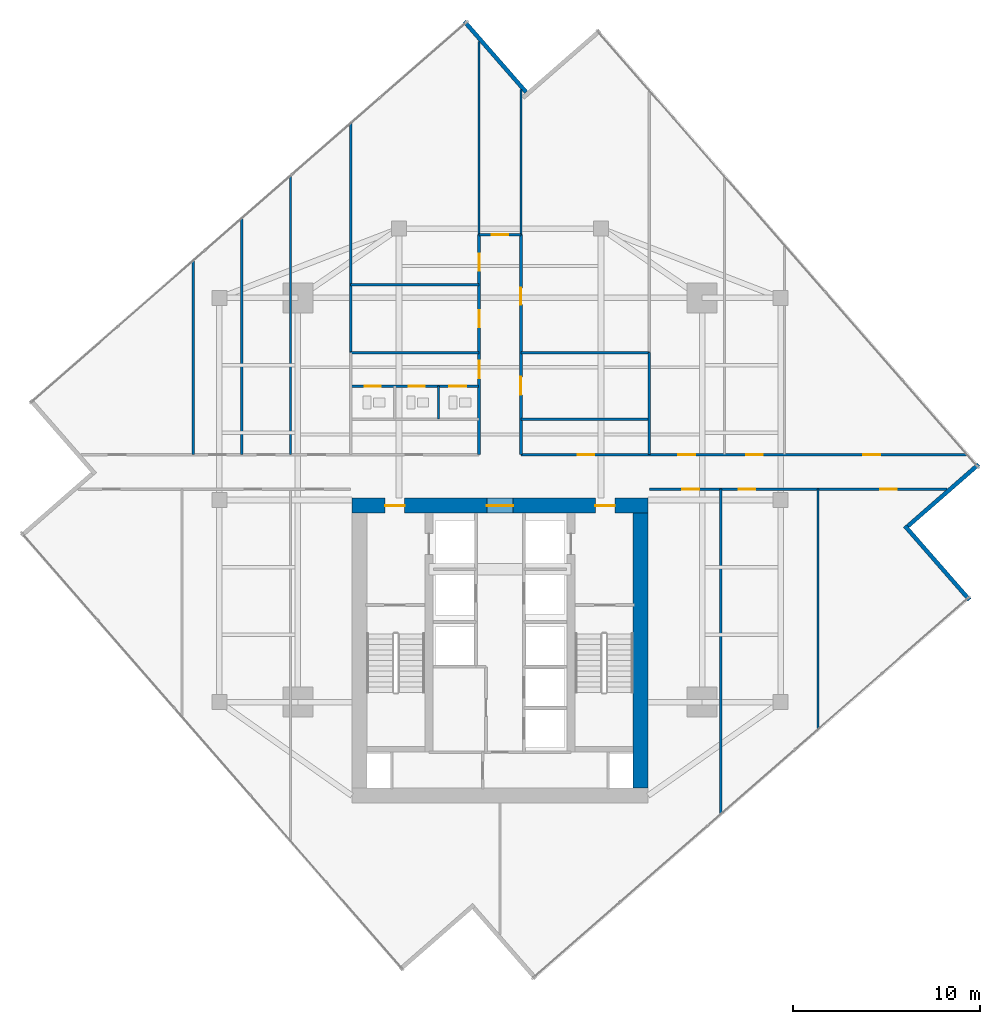
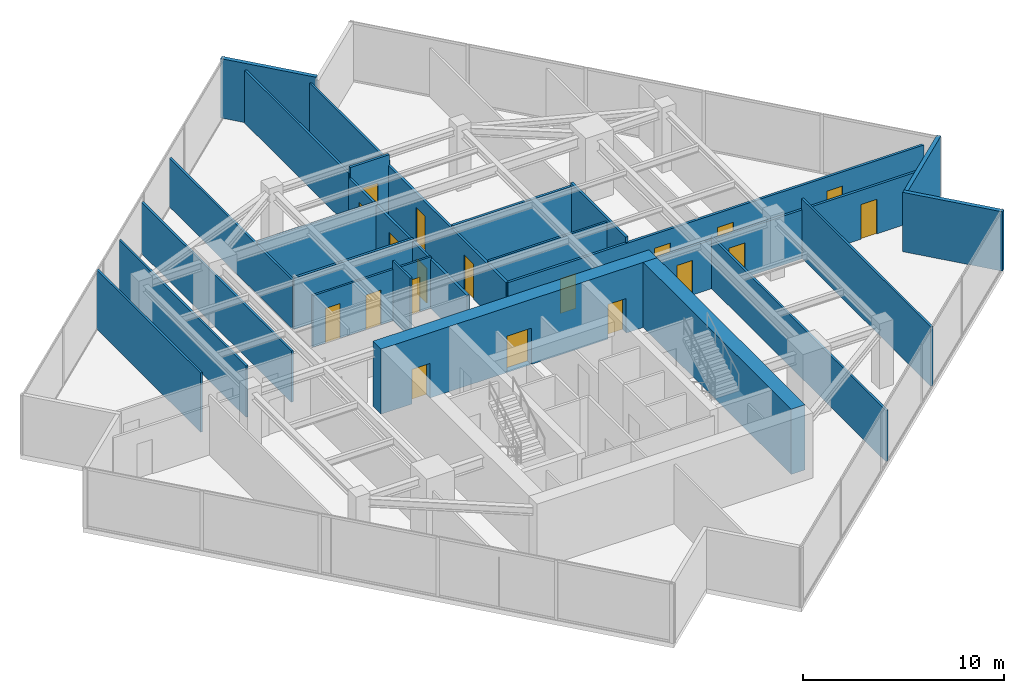
# One storey, part 21 of 24: 25 walls, 19 doors, 19 openings.
"""IFC4 building model written with IfcOpenShell, lengths in metres."""

from ifc_helpers import new_model, si_unit, direction, frame, frame_2d, origin, place, context, subcontext, project, spatial, rectangle, extrude, material, layer, layer_set, type_object, element, fill, save


model = new_model("IFC4")

# Units and contexts
model_context = context("Model", 3, precision=1e-05, world=origin(), true_north=direction((0.0, 1.0)))
body_context = subcontext(model_context, "Body", "Model", "MODEL_VIEW")
ifc_project = project(units=[si_unit("LENGTHUNIT", "METRE"), si_unit("AREAUNIT", "SQUARE_METRE"), si_unit("VOLUMEUNIT", "CUBIC_METRE"), si_unit("PLANEANGLEUNIT", "RADIAN"), si_unit("MASSUNIT", "GRAM", prefix="KILO")], contexts=[model_context])

# Site, building, storey
site_placement = place(None, origin())
site = spatial("IfcSite", under=ifc_project, at=site_placement, CompositionType="ELEMENT")
building_placement = place(site_placement, origin())
building = spatial("IfcBuilding", under=site, at=building_placement, Name="Krantzveldt Concourse Tower", CompositionType="ELEMENT")
storey_placement = place(building_placement, frame((0.0, 0.0, 258.64990234375)))
storey = spatial("IfcBuildingStorey", under=building, at=storey_placement, Name="L63", CompositionType="ELEMENT", Elevation=258.64990234375)

# Walls
ifc_material_1 = material(Name="Anodised aluminium 6063-T6", Category="aluminium")
ifc_layer_1 = layer(ifc_material_1, 0.219970703125, Name="Anodised aluminium 6063-T6", Category="aluminium")
ifc_layer_set_1 = layer_set([ifc_layer_1], Name="Anodised aluminium 6063-T6 (WL-EXT-NOTCH220)")
wall_type_1 = type_object("IfcWallType", Name="WL-EXT-NOTCH220", PredefinedType="ELEMENTEDWALL", material=ifc_layer_set_1)
wall_1_placement = place(storey_placement, frame((37.3984375, 48.497802734375, 0.0), z_axis=(0.0, 0.0, 1.0), x_axis=(-0.657706226339, 0.753274531518, 0.0)))
element("IfcWall", 1, at=wall_1_placement, inside=storey, type_object=wall_type_1, Name="EW-L63-NCH00", PredefinedType="ELEMENTEDWALL", context=body_context, shape_type="SweptSolid", body=[
    extrude(rectangle(XDim=5.02490234375, YDim=0.219970703125, at=frame_2d((2.512451171875, 0.0))), origin(), (0.0, 0.0, 1.0), 3.60009765625),
])
wall_2_placement = place(storey_placement, frame((61.09228515625, 21.361083984375, 0.0), z_axis=(0.0, 0.0, 1.0), x_axis=(-0.657710057617, 0.7532711863, 0.0)))
element("IfcWall", 2, at=wall_2_placement, inside=storey, type_object=wall_type_1, Name="EW-L63-NCH08", PredefinedType="ELEMENTEDWALL", context=body_context, shape_type="SweptSolid", body=[
    extrude(rectangle(XDim=5.2451171875, YDim=0.219970703125, at=frame_2d((2.62255859375, 0.0))), origin(), (0.0, 0.0, 1.0), 3.60009765625),
])
wall_3_placement = place(storey_placement, frame((57.7978515625, 25.301513671875, 0.0), z_axis=(0.0, 0.0, 1.0), x_axis=(0.753274531518, 0.657706226339, 0.0)))
element("IfcWall", 3, at=wall_3_placement, inside=storey, type_object=wall_type_1, Name="EW-L63-NCH09", PredefinedType="ELEMENTEDWALL", context=body_context, shape_type="SweptSolid", body=[
    extrude(rectangle(XDim=5.02490234375, YDim=0.219970703125, at=frame_2d((2.512451171875, 0.0))), origin(), (0.0, 0.0, 1.0), 3.60009765625),
])
ifc_material_2 = material(Name="Fire-rated gypsum plasterboard on steel stud", Category="steel")
ifc_layer_2 = layer(ifc_material_2, 0.1201171875, Name="Fire-rated gypsum plasterboard on steel stud", Category="steel")
ifc_layer_set_2 = layer_set([ifc_layer_2], Name="Fire-rated gypsum plasterboard on steel stud (WL-PART-120)")
wall_type_2 = type_object("IfcWallType", Name="WL-PART-120", PredefinedType="PARTITIONING", material=ifc_layer_set_2)
wall_4_placement = place(storey_placement, frame((37.1201171875, 31.02001953125, 0.0), z_axis=(0.0, 0.0, 1.0), x_axis=(1.0, 0.0, 0.0)))
element("IfcWall", 4, at=wall_4_placement, inside=storey, type_object=wall_type_2, Name="WP-L63-ISMR", PredefinedType="PARTITIONING", context=body_context, shape_type="SweptSolid", body=[
    extrude(rectangle(XDim=6.85986328125, YDim=0.1201171875, at=frame_2d((3.429931640625, 0.0))), origin(), (0.0, 0.0, 1.0), 3.110107421875),
])

# Wall, openings, doors
wall_5_placement = place(storey_placement, frame((28.050048828125, 32.780029296875, 0.0), z_axis=(0.0, 0.0, 1.0), x_axis=(1.0, 0.0, 0.0)))
wall_5 = element("IfcWall", 5, at=wall_5_placement, inside=storey, type_object=wall_type_2, Name="WP-L63-WCHDR", PredefinedType="PARTITIONING", context=body_context, shape_type="SweptSolid", body=[
    extrude(rectangle(XDim=6.800048828125, YDim=0.1201171875, at=frame_2d((3.39990234375, 0.0))), origin(), (0.0, 0.0, 1.0), 3.110107421875),
])
opening_1_placement = place(wall_5_placement, frame((0.72509765625, 0.0, 0.0)))
opening_1 = element("IfcOpeningElement", 6, at=opening_1_placement, cuts=wall_5, Name="Opening D-IN085", PredefinedType="OPENING", context=body_context, shape_type="SweptSolid", body=[
    extrude(rectangle(XDim=0.85009765625, YDim=2.10009765625, at=frame_2d((0.425048828125, 1.050048828125))), frame((0.0, 0.070068359375, 0.0), z_axis=(0.0, -1.0, 0.0), x_axis=(1.0, 0.0, 0.0)), (0.0, 0.0, 1.0), 0.14013671875),
])
opening_2_placement = place(wall_5_placement, frame((3.06494140625, 0.0, 0.0)))
opening_2 = element("IfcOpeningElement", 7, at=opening_2_placement, cuts=wall_5, Name="Opening D-IN085", PredefinedType="OPENING", context=body_context, shape_type="SweptSolid", body=[
    extrude(rectangle(XDim=0.85009765625, YDim=2.10009765625, at=frame_2d((0.425048828125, 1.050048828125))), frame((0.0, 0.070068359375, 0.0), z_axis=(0.0, -1.0, 0.0), x_axis=(1.0, 0.0, 0.0)), (0.0, 0.0, 1.0), 0.14013671875),
])
opening_3_placement = place(wall_5_placement, frame((5.25, 0.0, 0.0)))
opening_3 = element("IfcOpeningElement", 8, at=opening_3_placement, cuts=wall_5, Name="Opening D-IN090", PredefinedType="OPENING", context=body_context, shape_type="SweptSolid", body=[
    extrude(rectangle(XDim=0.89990234375, YDim=2.10009765625, at=frame_2d((0.449951171875, 1.050048828125))), frame((0.0, 0.070068359375, 0.0), z_axis=(0.0, -1.0, 0.0), x_axis=(1.0, 0.0, 0.0)), (0.0, 0.0, 1.0), 0.14013671875),
])
ifc_material_3 = material(Name="Hardwood timber", Category="wood")
door_type_1 = type_object("IfcDoorType", Name="DR-INT-850", OperationType="SINGLE_SWING_LEFT", PredefinedType="DOOR", material=ifc_material_3)
door_1_placement = place(opening_1_placement, origin())
door_1 = element("IfcDoor", 9, at=door_1_placement, inside=storey, type_object=door_type_1, Name="DR-L63-WCM", OperationType="SINGLE_SWING_LEFT", OverallHeight=2.10009765625, OverallWidth=0.85009765625, PredefinedType="DOOR", context=body_context, shape_type="SweptSolid", body=[
    extrude(rectangle(XDim=0.85009765625, YDim=2.10009765625, at=frame_2d((0.425048828125, 1.050048828125))), frame((0.0, 0.02490234375, 0.0), z_axis=(0.0, -1.0, 0.0), x_axis=(1.0, 0.0, 0.0)), (0.0, 0.0, 1.0), 0.050048828125),
])
fill(opening_1, door_1)
door_2_placement = place(opening_2_placement, origin())
door_2 = element("IfcDoor", 10, at=door_2_placement, inside=storey, type_object=door_type_1, Name="DR-L63-WCF", OperationType="SINGLE_SWING_RIGHT", OverallHeight=2.10009765625, OverallWidth=0.85009765625, PredefinedType="DOOR", context=body_context, shape_type="SweptSolid", body=[
    extrude(rectangle(XDim=0.85009765625, YDim=2.10009765625, at=frame_2d((0.425048828125, 1.050048828125))), frame((0.0, 0.02490234375, 0.0), z_axis=(0.0, -1.0, 0.0), x_axis=(1.0, 0.0, 0.0)), (0.0, 0.0, 1.0), 0.050048828125),
])
fill(opening_2, door_2)
door_type_2 = type_object("IfcDoorType", Name="DR-INT-900", OperationType="SINGLE_SWING_LEFT", PredefinedType="DOOR", material=ifc_material_3)
door_3_placement = place(opening_3_placement, origin())
door_3 = element("IfcDoor", 11, at=door_3_placement, inside=storey, type_object=door_type_2, Name="DR-L63-WCA", OperationType="SINGLE_SWING_LEFT", OverallHeight=2.10009765625, OverallWidth=0.89990234375, PredefinedType="DOOR", context=body_context, shape_type="SweptSolid", body=[
    extrude(rectangle(XDim=0.89990234375, YDim=2.10009765625, at=frame_2d((0.449951171875, 1.050048828125))), frame((0.0, 0.02490234375, 0.0), z_axis=(0.0, -1.0, 0.0), x_axis=(1.0, 0.0, 0.0)), (0.0, 0.0, 1.0), 0.050048828125),
])
fill(opening_3, door_3)

# Walls
wall_6_placement = place(storey_placement, frame((32.7099609375, 31.02001953125, 0.0), z_axis=(0.0, 0.0, 1.0), x_axis=(0.0, 1.0, 0.0)))
element("IfcWall", 12, at=wall_6_placement, inside=storey, type_object=wall_type_2, Name="WP-L63-WCD2", PredefinedType="PARTITIONING", context=body_context, shape_type="SweptSolid", body=[
    extrude(rectangle(XDim=1.760009765625, YDim=0.1201171875, at=frame_2d((0.8798828125, 0.0))), origin(), (0.0, 0.0, 1.0), 3.60009765625),
])
wall_7_placement = place(storey_placement, frame((34.8798828125, 40.8798828125, 0.0), z_axis=(0.0, 0.0, 1.0), x_axis=(0.0, 1.0, 0.0)))
element("IfcWall", 13, at=wall_7_placement, inside=storey, type_object=wall_type_2, Name="WP-L63-NTL", PredefinedType="PARTITIONING", context=body_context, shape_type="SweptSolid", body=[
    extrude(rectangle(XDim=10.32763671875, YDim=0.1201171875, at=frame_2d((5.163818359375, 0.0))), origin(), (0.0, 0.0, 1.0), 3.210205078125),
])
wall_8_placement = place(storey_placement, frame((37.1201171875, 40.8798828125, 0.0), z_axis=(0.0, 0.0, 1.0), x_axis=(0.0, 1.0, 0.0)))
element("IfcWall", 14, at=wall_8_placement, inside=storey, type_object=wall_type_2, Name="WP-L63-NTR", PredefinedType="PARTITIONING", context=body_context, shape_type="SweptSolid", body=[
    extrude(rectangle(XDim=7.76220703125, YDim=0.1201171875, at=frame_2d((3.881103515625, 0.0))), origin(), (0.0, 0.0, 1.0), 3.210205078125),
])
wall_9_placement = place(storey_placement, frame((19.60009765625, 29.1201171875, 0.0), z_axis=(0.0, 0.0, 1.0), x_axis=(0.0, 1.0, 0.0)))
element("IfcWall", 15, at=wall_9_placement, inside=storey, type_object=wall_type_2, Name="WP-L63-NWX1", PredefinedType="PARTITIONING", context=body_context, shape_type="SweptSolid", body=[
    extrude(rectangle(XDim=10.35546875, YDim=0.1201171875, at=frame_2d((5.177734375, 0.0))), origin(), (0.0, 0.0, 1.0), 3.60009765625),
])
wall_10_placement = place(storey_placement, frame((22.199951171875, 29.1201171875, 0.0), z_axis=(0.0, 0.0, 1.0), x_axis=(0.0, 1.0, 0.0)))
element("IfcWall", 16, at=wall_10_placement, inside=storey, type_object=wall_type_2, Name="WP-L63-NWX2", PredefinedType="PARTITIONING", context=body_context, shape_type="SweptSolid", body=[
    extrude(rectangle(XDim=12.625732421875, YDim=0.1201171875, at=frame_2d((6.31298828125, 0.0))), origin(), (0.0, 0.0, 1.0), 3.110107421875),
])
wall_11_placement = place(storey_placement, frame((24.800048828125, 29.1201171875, 0.0), z_axis=(0.0, 0.0, 1.0), x_axis=(0.0, 1.0, 0.0)))
element("IfcWall", 17, at=wall_11_placement, inside=storey, type_object=wall_type_2, Name="WP-L63-NWX3", PredefinedType="PARTITIONING", context=body_context, shape_type="SweptSolid", body=[
    extrude(rectangle(XDim=14.89599609375, YDim=0.1201171875, at=frame_2d((7.447998046875, 0.0))), origin(), (0.0, 0.0, 1.0), 3.110107421875),
])
wall_12_placement = place(storey_placement, frame((28.02001953125, 34.580078125, 0.0), z_axis=(0.0, 0.0, 1.0), x_axis=(0.0, 1.0, 0.0)))
element("IfcWall", 18, at=wall_12_placement, inside=storey, type_object=wall_type_2, Name="WP-L63-ISWL2", PredefinedType="PARTITIONING", context=body_context, shape_type="SweptSolid", body=[
    extrude(rectangle(XDim=12.247314453125, YDim=0.1201171875, at=frame_2d((6.12353515625, 0.0))), origin(), (0.0, 0.0, 1.0), 2.960205078125),
])
wall_13_placement = place(storey_placement, frame((28.02001953125, 38.199951171875, 0.0), z_axis=(0.0, 0.0, 1.0), x_axis=(1.0, 0.0, 0.0)))
element("IfcWall", 19, at=wall_13_placement, inside=storey, type_object=wall_type_2, Name="WP-L63-NWIY", PredefinedType="PARTITIONING", context=body_context, shape_type="SweptSolid", body=[
    extrude(rectangle(XDim=6.85986328125, YDim=0.1201171875, at=frame_2d((3.429931640625, 0.0))), origin(), (0.0, 0.0, 1.0), 3.110107421875),
])
wall_14_placement = place(storey_placement, frame((47.800048828125, 9.907958984375, 0.0), z_axis=(0.0, 0.0, 1.0), x_axis=(0.0, 1.0, 0.0)))
element("IfcWall", 20, at=wall_14_placement, inside=storey, type_object=wall_type_2, Name="WP-L63-SEX1", PredefinedType="PARTITIONING", context=body_context, shape_type="SweptSolid", body=[
    extrude(rectangle(XDim=17.3720703125, YDim=0.1201171875, at=frame_2d((8.68603515625, 0.0))), origin(), (0.0, 0.0, 1.0), 3.110107421875),
])
wall_15_placement = place(storey_placement, frame((53.0, 14.447998046875, 0.0), z_axis=(0.0, 0.0, 1.0), x_axis=(0.0, 1.0, 0.0)))
element("IfcWall", 21, at=wall_15_placement, inside=storey, type_object=wall_type_2, Name="WP-L63-SEX2", PredefinedType="PARTITIONING", context=body_context, shape_type="SweptSolid", body=[
    extrude(rectangle(XDim=12.83203125, YDim=0.1201171875, at=frame_2d((6.416015625, 0.0))), origin(), (0.0, 0.0, 1.0), 3.60009765625),
])

# Wall, openings, doors
ifc_layer_3 = layer(ifc_material_2, 0.139892578125, Name="Fire-rated gypsum plasterboard on steel stud", Category="steel")
ifc_layer_set_3 = layer_set([ifc_layer_3], Name="Fire-rated gypsum plasterboard on steel stud (WL-PART-140)")
wall_type_3 = type_object("IfcWallType", Name="WL-PART-140", PredefinedType="PARTITIONING", material=ifc_layer_set_3)
wall_16_placement = place(storey_placement, frame((34.8798828125, 29.1201171875, 0.0), z_axis=(0.0, 0.0, 1.0), x_axis=(0.0, 1.0, 0.0)))
wall_16 = element("IfcWall", 22, at=wall_16_placement, inside=storey, type_object=wall_type_3, Name="WP-L63-SPWL", PredefinedType="PARTITIONING", context=body_context, shape_type="SweptSolid", body=[
    extrude(rectangle(XDim=11.759765625, YDim=0.139892578125, at=frame_2d((5.8798828125, 0.0))), origin(), (0.0, 0.0, 1.0), 2.960205078125),
])
opening_4_placement = place(wall_16_placement, frame((4.0849609375, 0.0, 0.0)))
opening_4 = element("IfcOpeningElement", 23, at=opening_4_placement, cuts=wall_16, Name="Opening D-IN095", PredefinedType="OPENING", context=body_context, shape_type="SweptSolid", body=[
    extrude(rectangle(XDim=0.949951171875, YDim=2.10009765625, at=frame_2d((0.47509765625, 1.050048828125))), frame((0.0, 0.080078125, 0.0), z_axis=(0.0, -1.0, 0.0), x_axis=(1.0, 0.0, 0.0)), (0.0, 0.0, 1.0), 0.159912109375),
])
opening_5_placement = place(wall_16_placement, frame((6.820068359375, 0.0, 0.0)))
opening_5 = element("IfcOpeningElement", 24, at=opening_5_placement, cuts=wall_16, Name="Opening D-IN090", PredefinedType="OPENING", context=body_context, shape_type="SweptSolid", body=[
    extrude(rectangle(XDim=0.89990234375, YDim=2.10009765625, at=frame_2d((0.449951171875, 1.050048828125))), frame((0.0, 0.080078125, 0.0), z_axis=(0.0, -1.0, 0.0), x_axis=(1.0, 0.0, 0.0)), (0.0, 0.0, 1.0), 0.159912109375),
])
opening_6_placement = place(wall_16_placement, frame((9.830078125, 0.0, 0.0)))
opening_6 = element("IfcOpeningElement", 25, at=opening_6_placement, cuts=wall_16, Name="Opening D-IN090", PredefinedType="OPENING", context=body_context, shape_type="SweptSolid", body=[
    extrude(rectangle(XDim=0.89990234375, YDim=2.10009765625, at=frame_2d((0.449951171875, 1.050048828125))), frame((0.0, 0.080078125, 0.0), z_axis=(0.0, -1.0, 0.0), x_axis=(1.0, 0.0, 0.0)), (0.0, 0.0, 1.0), 0.159912109375),
])
door_4_placement = place(opening_5_placement, origin())
door_4 = element("IfcDoor", 26, at=door_4_placement, inside=storey, type_object=door_type_2, Name="DR-L63-NWI1", OperationType="SINGLE_SWING_LEFT", OverallHeight=2.10009765625, OverallWidth=0.89990234375, PredefinedType="DOOR", context=body_context, shape_type="SweptSolid", body=[
    extrude(rectangle(XDim=0.89990234375, YDim=2.10009765625, at=frame_2d((0.449951171875, 1.050048828125))), frame((0.0, 0.02490234375, 0.0), z_axis=(0.0, -1.0, 0.0), x_axis=(1.0, 0.0, 0.0)), (0.0, 0.0, 1.0), 0.050048828125),
])
fill(opening_5, door_4)
door_5_placement = place(opening_6_placement, origin())
door_5 = element("IfcDoor", 27, at=door_5_placement, inside=storey, type_object=door_type_2, Name="DR-L63-NWI2", OperationType="SINGLE_SWING_LEFT", OverallHeight=2.10009765625, OverallWidth=0.89990234375, PredefinedType="DOOR", context=body_context, shape_type="SweptSolid", body=[
    extrude(rectangle(XDim=0.89990234375, YDim=2.10009765625, at=frame_2d((0.449951171875, 1.050048828125))), frame((0.0, 0.02490234375, 0.0), z_axis=(0.0, -1.0, 0.0), x_axis=(1.0, 0.0, 0.0)), (0.0, 0.0, 1.0), 0.050048828125),
])
fill(opening_6, door_5)
door_type_3 = type_object("IfcDoorType", Name="DR-INT-950", OperationType="SINGLE_SWING_LEFT", PredefinedType="DOOR", material=ifc_material_3)
door_6_placement = place(opening_4_placement, origin())
door_6 = element("IfcDoor", 28, at=door_6_placement, inside=storey, type_object=door_type_3, Name="DR-L63-WCLB", OperationType="SINGLE_SWING_LEFT", OverallHeight=2.10009765625, OverallWidth=0.949951171875, PredefinedType="DOOR", context=body_context, shape_type="SweptSolid", body=[
    extrude(rectangle(XDim=0.949951171875, YDim=2.10009765625, at=frame_2d((0.47509765625, 1.050048828125))), frame((0.0, 0.02490234375, 0.0), z_axis=(0.0, -1.0, 0.0), x_axis=(1.0, 0.0, 0.0)), (0.0, 0.0, 1.0), 0.050048828125),
])
fill(opening_4, door_6)

wall_17_placement = place(storey_placement, frame((37.1201171875, 29.1201171875, 0.0), z_axis=(0.0, 0.0, 1.0), x_axis=(0.0, 1.0, 0.0)))
wall_17 = element("IfcWall", 29, at=wall_17_placement, inside=storey, type_object=wall_type_3, Name="WP-L63-SPER", PredefinedType="PARTITIONING", context=body_context, shape_type="SweptSolid", body=[
    extrude(rectangle(XDim=11.759765625, YDim=0.139892578125, at=frame_2d((5.8798828125, 0.0))), origin(), (0.0, 0.0, 1.0), 2.960205078125),
])
opening_7_placement = place(wall_17_placement, frame((3.205078125, 0.0, 0.0)))
opening_7 = element("IfcOpeningElement", 30, at=opening_7_placement, cuts=wall_17, Name="Opening D-IN095", PredefinedType="OPENING", context=body_context, shape_type="SweptSolid", body=[
    extrude(rectangle(XDim=0.949951171875, YDim=2.10009765625, at=frame_2d((0.47509765625, 1.050048828125))), frame((0.0, 0.080078125, 0.0), z_axis=(0.0, -1.0, 0.0), x_axis=(1.0, 0.0, 0.0)), (0.0, 0.0, 1.0), 0.159912109375),
])
opening_8_placement = place(wall_17_placement, frame((8.02001953125, 0.0, 0.0)))
opening_8 = element("IfcOpeningElement", 31, at=opening_8_placement, cuts=wall_17, Name="Opening D-IN090", PredefinedType="OPENING", context=body_context, shape_type="SweptSolid", body=[
    extrude(rectangle(XDim=0.89990234375, YDim=2.10009765625, at=frame_2d((0.449951171875, 1.050048828125))), frame((0.0, 0.080078125, 0.0), z_axis=(0.0, -1.0, 0.0), x_axis=(1.0, 0.0, 0.0)), (0.0, 0.0, 1.0), 0.159912109375),
])
door_7_placement = place(opening_8_placement, origin())
door_7 = element("IfcDoor", 32, at=door_7_placement, inside=storey, type_object=door_type_2, Name="DR-L63-NEI1", OperationType="SINGLE_SWING_LEFT", OverallHeight=2.10009765625, OverallWidth=0.89990234375, PredefinedType="DOOR", context=body_context, shape_type="SweptSolid", body=[
    extrude(rectangle(XDim=0.89990234375, YDim=2.10009765625, at=frame_2d((0.449951171875, 1.050048828125))), frame((0.0, 0.02490234375, 0.0), z_axis=(0.0, -1.0, 0.0), x_axis=(1.0, 0.0, 0.0)), (0.0, 0.0, 1.0), 0.050048828125),
])
fill(opening_8, door_7)
door_8_placement = place(opening_7_placement, origin())
door_8 = element("IfcDoor", 33, at=door_8_placement, inside=storey, type_object=door_type_3, Name="DR-L63-PNT", OperationType="SINGLE_SWING_RIGHT", OverallHeight=2.10009765625, OverallWidth=0.949951171875, PredefinedType="DOOR", context=body_context, shape_type="SweptSolid", body=[
    extrude(rectangle(XDim=0.949951171875, YDim=2.10009765625, at=frame_2d((0.47509765625, 1.050048828125))), frame((0.0, 0.02490234375, 0.0), z_axis=(0.0, -1.0, 0.0), x_axis=(1.0, 0.0, 0.0)), (0.0, 0.0, 1.0), 0.050048828125),
])
fill(opening_7, door_8)

# Wall, opening, door
wall_18_placement = place(storey_placement, frame((34.8798828125, 40.8798828125, 0.0), z_axis=(0.0, 0.0, 1.0), x_axis=(1.0, 0.0, 0.0)))
wall_18 = element("IfcWall", 34, at=wall_18_placement, inside=storey, type_object=wall_type_3, Name="WP-L63-SPTOP", PredefinedType="PARTITIONING", context=body_context, shape_type="SweptSolid", body=[
    extrude(rectangle(XDim=2.240234375, YDim=0.139892578125, at=frame_2d((1.1201171875, 0.0))), origin(), (0.0, 0.0, 1.0), 3.60009765625),
])
opening_9_placement = place(wall_18_placement, frame((0.669921875, 0.0, 0.0)))
opening_9 = element("IfcOpeningElement", 35, at=opening_9_placement, cuts=wall_18, Name="Opening D-IN090", PredefinedType="OPENING", context=body_context, shape_type="SweptSolid", body=[
    extrude(rectangle(XDim=0.89990234375, YDim=2.10009765625, at=frame_2d((0.449951171875, 1.050048828125))), frame((0.0, 0.080078125, 0.0), z_axis=(0.0, -1.0, 0.0), x_axis=(1.0, 0.0, 0.0)), (0.0, 0.0, 1.0), 0.159912109375),
])
door_9_placement = place(opening_9_placement, origin())
door_9 = element("IfcDoor", 36, at=door_9_placement, inside=storey, type_object=door_type_2, Name="DR-L63-NTOP", OperationType="SINGLE_SWING_LEFT", OverallHeight=2.10009765625, OverallWidth=0.89990234375, PredefinedType="DOOR", context=body_context, shape_type="SweptSolid", body=[
    extrude(rectangle(XDim=0.89990234375, YDim=2.10009765625, at=frame_2d((0.449951171875, 1.050048828125))), frame((0.0, 0.02490234375, 0.0), z_axis=(0.0, -1.0, 0.0), x_axis=(1.0, 0.0, 0.0)), (0.0, 0.0, 1.0), 0.050048828125),
])
fill(opening_9, door_9)

# Wall, openings, doors
wall_19_placement = place(storey_placement, frame((37.1201171875, 29.1201171875, 0.0), z_axis=(0.0, 0.0, 1.0), x_axis=(1.0, 0.0, 0.0)))
wall_19 = element("IfcWall", 37, at=wall_19_placement, inside=storey, type_object=wall_type_3, Name="WP-L63-EWNR", PredefinedType="PARTITIONING", context=body_context, shape_type="SweptSolid", body=[
    extrude(rectangle(XDim=23.86181640625, YDim=0.139892578125, at=frame_2d((11.930908203125, 0.0))), origin(), (0.0, 0.0, 1.0), 2.960205078125),
])
opening_10_placement = place(wall_19_placement, frame((3.030029296875, 0.0, 0.0)))
opening_10 = element("IfcOpeningElement", 38, at=opening_10_placement, cuts=wall_19, Name="Opening D-IN090", PredefinedType="OPENING", context=body_context, shape_type="SweptSolid", body=[
    extrude(rectangle(XDim=0.89990234375, YDim=2.10009765625, at=frame_2d((0.449951171875, 1.050048828125))), frame((0.0, 0.080078125, 0.0), z_axis=(0.0, -1.0, 0.0), x_axis=(1.0, 0.0, 0.0)), (0.0, 0.0, 1.0), 0.159912109375),
])
opening_11_placement = place(wall_19_placement, frame((8.419921875, 0.0, 0.0)))
opening_11 = element("IfcOpeningElement", 39, at=opening_11_placement, cuts=wall_19, Name="Opening D-IN090", PredefinedType="OPENING", context=body_context, shape_type="SweptSolid", body=[
    extrude(rectangle(XDim=0.89990234375, YDim=2.10009765625, at=frame_2d((0.449951171875, 1.050048828125))), frame((0.0, 0.080078125, 0.0), z_axis=(0.0, -1.0, 0.0), x_axis=(1.0, 0.0, 0.0)), (0.0, 0.0, 1.0), 0.159912109375),
])
opening_12_placement = place(wall_19_placement, frame((12.030029296875, 0.0, 0.0)))
opening_12 = element("IfcOpeningElement", 40, at=opening_12_placement, cuts=wall_19, Name="Opening D-IN090", PredefinedType="OPENING", context=body_context, shape_type="SweptSolid", body=[
    extrude(rectangle(XDim=0.89990234375, YDim=2.10009765625, at=frame_2d((0.449951171875, 1.050048828125))), frame((0.0, 0.080078125, 0.0), z_axis=(0.0, -1.0, 0.0), x_axis=(1.0, 0.0, 0.0)), (0.0, 0.0, 1.0), 0.159912109375),
])
opening_13_placement = place(wall_19_placement, frame((18.29296875, 0.0, 0.0)))
opening_13 = element("IfcOpeningElement", 41, at=opening_13_placement, cuts=wall_19, Name="Opening D-IN090", PredefinedType="OPENING", context=body_context, shape_type="SweptSolid", body=[
    extrude(rectangle(XDim=0.89990234375, YDim=2.10009765625, at=frame_2d((0.449951171875, 1.050048828125))), frame((0.0, 0.080078125, 0.0), z_axis=(0.0, -1.0, 0.0), x_axis=(1.0, 0.0, 0.0)), (0.0, 0.0, 1.0), 0.159912109375),
])
door_10_placement = place(opening_10_placement, origin())
door_10 = element("IfcDoor", 42, at=door_10_placement, inside=storey, type_object=door_type_2, Name="DR-L63-ALCR", OperationType="SINGLE_SWING_RIGHT", OverallHeight=2.10009765625, OverallWidth=0.89990234375, PredefinedType="DOOR", context=body_context, shape_type="SweptSolid", body=[
    extrude(rectangle(XDim=0.89990234375, YDim=2.10009765625, at=frame_2d((0.449951171875, 1.050048828125))), frame((0.0, 0.02490234375, 0.0), z_axis=(0.0, -1.0, 0.0), x_axis=(1.0, 0.0, 0.0)), (0.0, 0.0, 1.0), 0.050048828125),
])
fill(opening_10, door_10)
door_11_placement = place(opening_11_placement, origin())
door_11 = element("IfcDoor", 43, at=door_11_placement, inside=storey, type_object=door_type_2, Name="DR-L63-NEX1", OperationType="SINGLE_SWING_RIGHT", OverallHeight=2.10009765625, OverallWidth=0.89990234375, PredefinedType="DOOR", context=body_context, shape_type="SweptSolid", body=[
    extrude(rectangle(XDim=0.89990234375, YDim=2.10009765625, at=frame_2d((0.449951171875, 1.050048828125))), frame((0.0, 0.02490234375, 0.0), z_axis=(0.0, -1.0, 0.0), x_axis=(1.0, 0.0, 0.0)), (0.0, 0.0, 1.0), 0.050048828125),
])
fill(opening_11, door_11)
door_12_placement = place(opening_12_placement, origin())
door_12 = element("IfcDoor", 44, at=door_12_placement, inside=storey, type_object=door_type_2, Name="DR-L63-NEX2", OperationType="SINGLE_SWING_RIGHT", OverallHeight=2.10009765625, OverallWidth=0.89990234375, PredefinedType="DOOR", context=body_context, shape_type="SweptSolid", body=[
    extrude(rectangle(XDim=0.89990234375, YDim=2.10009765625, at=frame_2d((0.449951171875, 1.050048828125))), frame((0.0, 0.02490234375, 0.0), z_axis=(0.0, -1.0, 0.0), x_axis=(1.0, 0.0, 0.0)), (0.0, 0.0, 1.0), 0.050048828125),
])
fill(opening_12, door_12)
door_13_placement = place(opening_13_placement, origin())
door_13 = element("IfcDoor", 45, at=door_13_placement, inside=storey, type_object=door_type_2, Name="DR-L63-NEX3", OperationType="SINGLE_SWING_RIGHT", OverallHeight=2.10009765625, OverallWidth=0.89990234375, PredefinedType="DOOR", context=body_context, shape_type="SweptSolid", body=[
    extrude(rectangle(XDim=0.89990234375, YDim=2.10009765625, at=frame_2d((0.449951171875, 1.050048828125))), frame((0.0, 0.02490234375, 0.0), z_axis=(0.0, -1.0, 0.0), x_axis=(1.0, 0.0, 0.0)), (0.0, 0.0, 1.0), 0.050048828125),
])
fill(opening_13, door_13)

wall_20_placement = place(storey_placement, frame((44.0, 27.280029296875, 0.0), z_axis=(0.0, 0.0, 1.0), x_axis=(1.0, 0.0, 0.0)))
wall_20 = element("IfcWall", 46, at=wall_20_placement, inside=storey, type_object=wall_type_3, Name="WP-L63-EWSR", PredefinedType="PARTITIONING", context=body_context, shape_type="SweptSolid", body=[
    extrude(rectangle(XDim=15.888916015625, YDim=0.139892578125, at=frame_2d((7.9443359375, 0.0))), origin(), (0.0, 0.0, 1.0), 2.960205078125),
])
opening_14_placement = place(wall_20_placement, frame((1.75, 0.0, 0.0)))
opening_14 = element("IfcOpeningElement", 47, at=opening_14_placement, cuts=wall_20, Name="Opening D-IN090", PredefinedType="OPENING", context=body_context, shape_type="SweptSolid", body=[
    extrude(rectangle(XDim=0.89990234375, YDim=2.10009765625, at=frame_2d((0.449951171875, 1.050048828125))), frame((0.0, 0.080078125, 0.0), z_axis=(0.0, -1.0, 0.0), x_axis=(1.0, 0.0, 0.0)), (0.0, 0.0, 1.0), 0.159912109375),
])
opening_15_placement = place(wall_20_placement, frame((4.75, 0.0, 0.0)))
opening_15 = element("IfcOpeningElement", 48, at=opening_15_placement, cuts=wall_20, Name="Opening D-IN090", PredefinedType="OPENING", context=body_context, shape_type="SweptSolid", body=[
    extrude(rectangle(XDim=0.89990234375, YDim=2.10009765625, at=frame_2d((0.449951171875, 1.050048828125))), frame((0.0, 0.080078125, 0.0), z_axis=(0.0, -1.0, 0.0), x_axis=(1.0, 0.0, 0.0)), (0.0, 0.0, 1.0), 0.159912109375),
])
opening_16_placement = place(wall_20_placement, frame((12.31298828125, 0.0, 0.0)))
opening_16 = element("IfcOpeningElement", 49, at=opening_16_placement, cuts=wall_20, Name="Opening D-IN090", PredefinedType="OPENING", context=body_context, shape_type="SweptSolid", body=[
    extrude(rectangle(XDim=0.89990234375, YDim=2.10009765625, at=frame_2d((0.449951171875, 1.050048828125))), frame((0.0, 0.080078125, 0.0), z_axis=(0.0, -1.0, 0.0), x_axis=(1.0, 0.0, 0.0)), (0.0, 0.0, 1.0), 0.159912109375),
])
door_14_placement = place(opening_14_placement, origin())
door_14 = element("IfcDoor", 50, at=door_14_placement, inside=storey, type_object=door_type_2, Name="DR-L63-SEX1", OperationType="SINGLE_SWING_RIGHT", OverallHeight=2.10009765625, OverallWidth=0.89990234375, PredefinedType="DOOR", context=body_context, shape_type="SweptSolid", body=[
    extrude(rectangle(XDim=0.89990234375, YDim=2.10009765625, at=frame_2d((0.449951171875, 1.050048828125))), frame((0.0, 0.02490234375, 0.0), z_axis=(0.0, -1.0, 0.0), x_axis=(1.0, 0.0, 0.0)), (0.0, 0.0, 1.0), 0.050048828125),
])
fill(opening_14, door_14)
door_15_placement = place(opening_15_placement, origin())
door_15 = element("IfcDoor", 51, at=door_15_placement, inside=storey, type_object=door_type_2, Name="DR-L63-SEX2", OperationType="SINGLE_SWING_RIGHT", OverallHeight=2.10009765625, OverallWidth=0.89990234375, PredefinedType="DOOR", context=body_context, shape_type="SweptSolid", body=[
    extrude(rectangle(XDim=0.89990234375, YDim=2.10009765625, at=frame_2d((0.449951171875, 1.050048828125))), frame((0.0, 0.02490234375, 0.0), z_axis=(0.0, -1.0, 0.0), x_axis=(1.0, 0.0, 0.0)), (0.0, 0.0, 1.0), 0.050048828125),
])
fill(opening_15, door_15)
door_16_placement = place(opening_16_placement, origin())
door_16 = element("IfcDoor", 52, at=door_16_placement, inside=storey, type_object=door_type_2, Name="DR-L63-SEX3", OperationType="SINGLE_SWING_RIGHT", OverallHeight=2.10009765625, OverallWidth=0.89990234375, PredefinedType="DOOR", context=body_context, shape_type="SweptSolid", body=[
    extrude(rectangle(XDim=0.89990234375, YDim=2.10009765625, at=frame_2d((0.449951171875, 1.050048828125))), frame((0.0, 0.02490234375, 0.0), z_axis=(0.0, -1.0, 0.0), x_axis=(1.0, 0.0, 0.0)), (0.0, 0.0, 1.0), 0.050048828125),
])
fill(opening_16, door_16)

# Walls
for number, where, z_axis, x_axis, name in (
    (53, (28.02001953125, 34.580078125, 0.0), (0.0, 0.0, 1.0), (1.0, 0.0, 0.0), "WP-L63-ISNL"),
    (54, (37.1201171875, 34.580078125, 0.0), (0.0, 0.0, 1.0), (1.0, 0.0, 0.0), "WP-L63-ISNR"),
):
    element("IfcWall", number, at=place(storey_placement, frame(where, z_axis=z_axis, x_axis=x_axis)), inside=storey, type_object=wall_type_3, Name=name, PredefinedType="PARTITIONING", context=body_context, shape_type="SweptSolid", body=[
        extrude(rectangle(XDim=6.85986328125, YDim=0.139892578125, at=frame_2d((3.429931640625, 0.0))), origin(), (0.0, 0.0, 1.0), 3.110107421875),
    ])
wall_21_placement = place(storey_placement, frame((43.97998046875, 29.1201171875, 0.0), z_axis=(0.0, 0.0, 1.0), x_axis=(0.0, 1.0, 0.0)))
element("IfcWall", 55, at=wall_21_placement, inside=storey, type_object=wall_type_3, Name="WP-L63-ISER", PredefinedType="PARTITIONING", context=body_context, shape_type="SweptSolid", body=[
    extrude(rectangle(XDim=5.4599609375, YDim=0.139892578125, at=frame_2d((2.72998046875, 0.0))), origin(), (0.0, 0.0, 1.0), 3.300048828125),
])

# Wall, openings, doors
ifc_material_4 = material(Name="Concrete C60/75", Category="concrete")
ifc_layer_4 = layer(ifc_material_4, 0.800048828125, Name="Concrete C60/75", Category="concrete")
ifc_layer_set_4 = layer_set([ifc_layer_4], Name="Concrete C60/75 (WL-SHEAR-800)")
wall_type_4 = type_object("IfcWallType", Name="WL-SHEAR-800", PredefinedType="SHEAR", material=ifc_layer_set_4)
wall_22_placement = place(storey_placement, frame((28.080078125, 26.39990234375, 0.0), z_axis=(0.0, 0.0, 1.0), x_axis=(1.0, 0.0, 0.0)))
wall_22 = element("IfcWall", 56, at=wall_22_placement, inside=storey, type_object=wall_type_4, Name="CW-L63-N", PredefinedType="SHEAR", context=body_context, shape_type="SweptSolid", body=[
    extrude(rectangle(XDim=15.83984375, YDim=0.800048828125, at=frame_2d((7.919921875, 0.0))), origin(), (0.0, 0.0, 1.0), 3.9501953125),
])
opening_17_placement = place(wall_22_placement, frame((7.219970703125, 0.0, 0.0)))
opening_17 = element("IfcOpeningElement", 57, at=opening_17_placement, cuts=wall_22, Name="Opening D-DB140", PredefinedType="OPENING", context=body_context, shape_type="SweptSolid", body=[
    extrude(rectangle(XDim=1.39990234375, YDim=2.199951171875, at=frame_2d((0.699951171875, 1.10009765625))), frame((0.0, 0.41015625, 0.0), z_axis=(0.0, -1.0, 0.0), x_axis=(1.0, 0.0, 0.0)), (0.0, 0.0, 1.0), 0.820068359375),
])
opening_18_placement = place(wall_22_placement, frame((1.77490234375, 0.0, 0.0)))
opening_18 = element("IfcOpeningElement", 58, at=opening_18_placement, cuts=wall_22, Name="Opening D-FD105", PredefinedType="OPENING", context=body_context, shape_type="SweptSolid", body=[
    extrude(rectangle(XDim=1.050048828125, YDim=2.10009765625, at=frame_2d((0.52490234375, 1.050048828125))), frame((0.0, 0.41015625, 0.0), z_axis=(0.0, -1.0, 0.0), x_axis=(1.0, 0.0, 0.0)), (0.0, 0.0, 1.0), 0.820068359375),
])
opening_19_placement = place(wall_22_placement, frame((13.014892578125, 0.0, 0.0)))
opening_19 = element("IfcOpeningElement", 59, at=opening_19_placement, cuts=wall_22, Name="Opening D-FD105", PredefinedType="OPENING", context=body_context, shape_type="SweptSolid", body=[
    extrude(rectangle(XDim=1.050048828125, YDim=2.10009765625, at=frame_2d((0.52490234375, 1.050048828125))), frame((0.0, 0.41015625, 0.0), z_axis=(0.0, -1.0, 0.0), x_axis=(1.0, 0.0, 0.0)), (0.0, 0.0, 1.0), 0.820068359375),
])
door_type_4 = type_object("IfcDoorType", Name="DR-DBL-1400", OperationType="DOUBLE_DOOR_SINGLE_SWING", PredefinedType="DOOR", material=ifc_material_1)
door_17_placement = place(opening_17_placement, origin())
door_17 = element("IfcDoor", 60, at=door_17_placement, inside=storey, type_object=door_type_4, Name="DR-L63-LLB", OperationType="DOUBLE_DOOR_SINGLE_SWING", OverallHeight=2.199951171875, OverallWidth=1.39990234375, PredefinedType="DOOR", context=body_context, shape_type="SweptSolid", body=[
    extrude(rectangle(XDim=1.39990234375, YDim=2.199951171875, at=frame_2d((0.699951171875, 1.10009765625))), frame((0.0, 0.02490234375, 0.0), z_axis=(0.0, -1.0, 0.0), x_axis=(1.0, 0.0, 0.0)), (0.0, 0.0, 1.0), 0.050048828125),
])
fill(opening_17, door_17)
ifc_material_5 = material(Name="Galvanised steel", Category="steel")
door_type_5 = type_object("IfcDoorType", Name="DR-FD120-1050", OperationType="SINGLE_SWING_LEFT", PredefinedType="DOOR", material=ifc_material_5)
door_18_placement = place(opening_18_placement, origin())
door_18 = element("IfcDoor", 61, at=door_18_placement, inside=storey, type_object=door_type_5, Name="DR-L63-FFL1", OperationType="SINGLE_SWING_LEFT", OverallHeight=2.10009765625, OverallWidth=1.050048828125, PredefinedType="DOOR", context=body_context, shape_type="SweptSolid", body=[
    extrude(rectangle(XDim=1.050048828125, YDim=2.10009765625, at=frame_2d((0.52490234375, 1.050048828125))), frame((0.0, 0.02490234375, 0.0), z_axis=(0.0, -1.0, 0.0), x_axis=(1.0, 0.0, 0.0)), (0.0, 0.0, 1.0), 0.050048828125),
])
fill(opening_18, door_18)
door_19_placement = place(opening_19_placement, origin())
door_19 = element("IfcDoor", 62, at=door_19_placement, inside=storey, type_object=door_type_5, Name="DR-L63-FFL2", OperationType="SINGLE_SWING_RIGHT", OverallHeight=2.10009765625, OverallWidth=1.050048828125, PredefinedType="DOOR", context=body_context, shape_type="SweptSolid", body=[
    extrude(rectangle(XDim=1.050048828125, YDim=2.10009765625, at=frame_2d((0.52490234375, 1.050048828125))), frame((0.0, 0.02490234375, 0.0), z_axis=(0.0, -1.0, 0.0), x_axis=(1.0, 0.0, 0.0)), (0.0, 0.0, 1.0), 0.050048828125),
])
fill(opening_19, door_19)

# Wall
wall_23_placement = place(storey_placement, frame((43.52001953125, 11.300048828125, 0.0), z_axis=(0.0, 0.0, 1.0), x_axis=(0.0, 1.0, 0.0)))
element("IfcWall", 63, at=wall_23_placement, inside=storey, type_object=wall_type_4, Name="CW-L63-E", PredefinedType="SHEAR", context=body_context, shape_type="SweptSolid", body=[
    extrude(rectangle(XDim=14.699951171875, YDim=0.800048828125, at=frame_2d((7.35009765625, 0.0))), origin(), (0.0, 0.0, 1.0), 3.9501953125),
])

save(model, "model.ifc")
